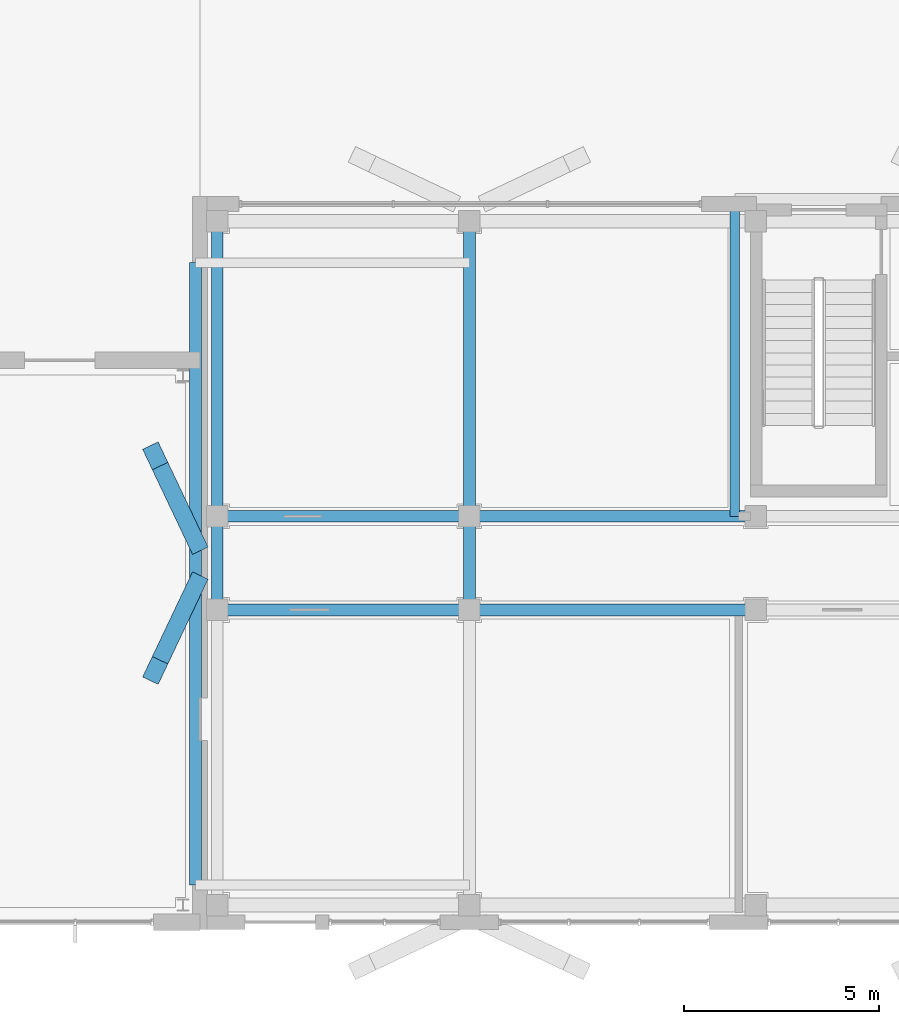
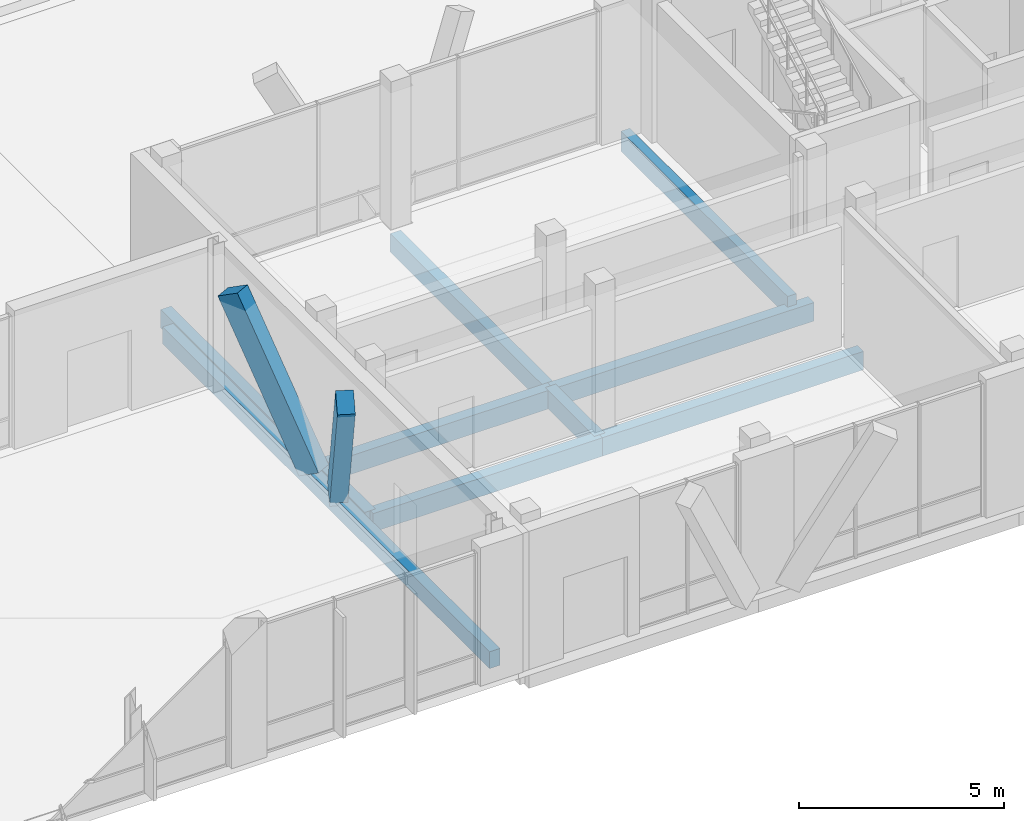
# One storey, part 74 of 233: 10 beams, 2 members.
"""IFC4 building model written with IfcOpenShell, lengths in metres."""

import ifcopenshell
import ifcopenshell.guid

model = None  # the IFC model being written
_history = None  # IfcOwnerHistory: only IFC2X3 demands one
_inside = {}  # id of a spatial element -> (the spatial element, [elements in it])
_under = {}  # id of a project, library or spatial element -> (it, [spatial elements below it])
_declared = {}  # id of a project -> (the project, [libraries it declares])
_typed = {}  # id of a type object -> (the type object, [elements of that type])
_made_of = {}  # id of a material, layer set ... -> (it, [elements and type objects made of it])


def new_model(schema):
    """Start an empty IFC model of exactly this schema.

    Asked for "IFC4X3", IfcOpenShell would pick the latest addendum, in which some entities
    have other attributes; the version numbers below select the first issue.
    IFC2X3 requires an IfcOwnerHistory on every rooted entity: one is made here for all.
    """
    global model, _history
    if schema == "IFC4X3":
        model = ifcopenshell.file(schema_version=(4, 3, 0, 0))
    else:
        model = ifcopenshell.file(schema=schema)
    _inside.clear()
    _under.clear()
    _declared.clear()
    _typed.clear()
    _made_of.clear()
    _history = None
    if model.schema == "IFC2X3":
        org = make("IfcOrganization", Name="unknown")
        user = make(
            "IfcPersonAndOrganization",
            ThePerson=make("IfcPerson", FamilyName="unknown"),
            TheOrganization=org,
        )
        app = make(
            "IfcApplication",
            ApplicationDeveloper=org,
            Version="unknown",
            ApplicationFullName="unknown",
            ApplicationIdentifier="unknown",
        )
        _history = make(
            "IfcOwnerHistory",
            OwningUser=user,
            OwningApplication=app,
            ChangeAction="ADDED",
            CreationDate=0,
        )
    return model


def make(cls, **values):
    """One entity of the class cls with the attributes given. An attribute that is None is left unset."""
    return model.create_entity(
        cls, **{name: value for name, value in values.items() if value is not None}
    )


def rooted(cls, **values):
    """An entity with a GlobalId (a new one), such as an element, a storey or a relation."""
    return make(cls, GlobalId=ifcopenshell.guid.new(), OwnerHistory=_history, **values)


def si_unit(unit_type, name, prefix=None):
    """IfcSIUnit, for example si_unit("LENGTHUNIT", "METRE", prefix="MILLI")."""
    return make("IfcSIUnit", UnitType=unit_type, Prefix=prefix, Name=name)


def assignment(units):
    """IfcUnitAssignment: the units of a project."""
    return None if units is None else make("IfcUnitAssignment", Units=units)


def point(xyz):
    """IfcCartesianPoint."""
    return None if xyz is None else make("IfcCartesianPoint", Coordinates=xyz)


def direction(xyz):
    """IfcDirection."""
    return None if xyz is None else make("IfcDirection", DirectionRatios=xyz)


def frame(location, z_axis=None, x_axis=None):
    """IfcAxis2Placement3D, a coordinate frame: its origin and axes. An axis left out is left unset."""
    return make(
        "IfcAxis2Placement3D",
        Location=point(location),
        Axis=direction(z_axis),
        RefDirection=direction(x_axis),
    )


def frame_2d(location, x_axis=None):
    """IfcAxis2Placement2D, a coordinate frame in the plane: its origin and x axis."""
    return make(
        "IfcAxis2Placement2D", Location=point(location), RefDirection=direction(x_axis)
    )


def origin():
    """The frame at (0, 0, 0) with its axes left unset."""
    return frame((0.0, 0.0, 0.0))


def origin_2d():
    """The frame at (0, 0) in the plane with its x axis left unset."""
    return frame_2d((0.0, 0.0))


def place(relative_to, where):
    """IfcLocalPlacement: puts the frame where relative to a parent placement (None: the world)."""
    return make(
        "IfcLocalPlacement", PlacementRelTo=relative_to, RelativePlacement=where
    )


def context(
    kind, dimensions, precision=None, world=None, true_north=None, identifier=None
):
    """IfcGeometricRepresentationContext, for example the 3D "Model" context."""
    return make(
        "IfcGeometricRepresentationContext",
        ContextIdentifier=identifier,
        ContextType=kind,
        CoordinateSpaceDimension=dimensions,
        Precision=precision,
        WorldCoordinateSystem=world,
        TrueNorth=true_north,
    )


def subcontext(parent, identifier, kind, view, scale=None):
    """IfcGeometricRepresentationSubContext, for example "Body" below "Model"."""
    return make(
        "IfcGeometricRepresentationSubContext",
        ContextIdentifier=identifier,
        ContextType=kind,
        ParentContext=parent,
        TargetScale=scale,
        TargetView=view,
    )


def project(units=None, contexts=None):
    """IfcProject with its units and contexts."""
    return rooted(
        "IfcProject",
        Name="project",
        RepresentationContexts=contexts,
        UnitsInContext=assignment(units),
    )


def spatial(cls, under=None, at=None, **own):
    """A site, building, storey or space (cls), placed at a placement, below another one or the project."""
    s = rooted(cls, ObjectPlacement=at, **own)
    if under is not None:
        _under.setdefault(under.id(), (under, []))[1].append(s)
    return s


def profile(cls, at=None, kind="AREA", **sizes):
    """A parametric profile (cls). Its sizes go by their IFC names, for example OverallWidth=200.0."""
    return make(cls, ProfileType=kind, Position=at, **sizes)


def rectangle(**sizes):
    """IfcRectangleProfileDef."""
    return profile("IfcRectangleProfileDef", **sizes)


def extrude(swept, where, along, depth):
    """IfcExtrudedAreaSolid: the profile swept, set in the frame where, extruded along a direction by depth."""
    return make(
        "IfcExtrudedAreaSolid",
        SweptArea=swept,
        Position=where,
        ExtrudedDirection=direction(along),
        Depth=depth,
    )


def shape(context_of_items, identifier, shape_type, items):
    """IfcShapeRepresentation: the items that make up one representation, for example the "Body"."""
    return make(
        "IfcShapeRepresentation",
        ContextOfItems=context_of_items,
        RepresentationIdentifier=identifier,
        RepresentationType=shape_type,
        Items=items,
    )


def material(Name=None, Category=None):
    """IfcMaterial."""
    return make("IfcMaterial", Name=Name, Category=Category)


def material_profile(
    of_material, cross_section, Name=None, Category=None, Priority=None
):
    """IfcMaterialProfile: a cross section and its material."""
    return make(
        "IfcMaterialProfile",
        Name=Name,
        Material=of_material,
        Profile=cross_section,
        Priority=Priority,
        Category=Category,
    )


def profile_set(profiles, Name=None, composite=None):
    """IfcMaterialProfileSet."""
    return make(
        "IfcMaterialProfileSet",
        Name=Name,
        MaterialProfiles=profiles,
        CompositeProfile=composite,
    )


def made_of(thing, what):
    """Note that an element or type object is made of a material, layer set ...; save() writes the relation."""
    if what is not None:
        _made_of.setdefault(what.id(), (what, []))[1].append(thing)
    return thing


def type_object(cls, material=None, **own):
    """A type object (cls), such as IfcWallType, which elements share."""
    return made_of(rooted(cls, **own), material)


def element(
    cls,
    number,
    at=None,
    inside=None,
    cuts=None,
    type_object=None,
    material=None,
    context=None,
    identifier="Body",
    shape_type=None,
    held_by="IfcProductDefinitionShape",
    body=None,
    shapes=None,
    **own,
):
    """One element of the class cls, such as IfcWall. Its Tag is "e" and its number.

    at: its placement. inside: the storey or other place that contains it. cuts: it is an
    opening in that element (IfcRelVoidsElement). A single representation is given by context,
    identifier, shape_type and body (its items); several are given by shapes. held_by: the class
    of the entity that holds the representations. save() writes the other relations.
    """
    e = rooted(cls, Tag="e%d" % number, ObjectPlacement=at, **own)
    if body is not None:
        shapes = [shape(context, identifier, shape_type, body)]
    if shapes is not None:
        e.Representation = make(held_by, Representations=shapes)
    if inside is not None:
        _inside.setdefault(inside.id(), (inside, []))[1].append(e)
    if cuts is not None:
        rooted(
            "IfcRelVoidsElement", RelatingBuildingElement=cuts, RelatedOpeningElement=e
        )
    if type_object is not None:
        _typed.setdefault(type_object.id(), (type_object, []))[1].append(e)
    return made_of(e, material)


def aggregate(whole, parts):
    """IfcRelAggregates: a whole, such as a stair, and the parts it consists of."""
    return rooted("IfcRelAggregates", RelatingObject=whole, RelatedObjects=parts)


def save(model, path):
    """Write the relations noted so far, then the file.

    IfcRelAggregates (storeys below a building ...), IfcRelContainedInSpatialStructure (elements
    in a storey), IfcRelDefinesByType, IfcRelAssociatesMaterial and IfcRelDeclares: one each for
    every whole, place, type object, material and project.
    """
    for whole, parts in _under.values():
        aggregate(whole, parts)
    for where, things in _inside.values():
        rooted(
            "IfcRelContainedInSpatialStructure",
            RelatedElements=things,
            RelatingStructure=where,
        )
    for kind, things in _typed.values():
        rooted("IfcRelDefinesByType", RelatedObjects=things, RelatingType=kind)
    for what, things in _made_of.values():
        rooted("IfcRelAssociatesMaterial", RelatedObjects=things, RelatingMaterial=what)
    for by, libraries in _declared.values():
        rooted("IfcRelDeclares", RelatingContext=by, RelatedDefinitions=libraries)
    model.write(path)


model = new_model("IFC4")

# Units and contexts
model_context = context("Model", 3, precision=1e-05, world=origin(), true_north=direction((0.0, 1.0)))
body_context = subcontext(model_context, "Body", "Model", "MODEL_VIEW")
ifc_project = project(units=[si_unit("LENGTHUNIT", "METRE"), si_unit("AREAUNIT", "SQUARE_METRE"), si_unit("VOLUMEUNIT", "CUBIC_METRE"), si_unit("PLANEANGLEUNIT", "RADIAN"), si_unit("MASSUNIT", "GRAM", prefix="KILO")], contexts=[model_context])

# Site, building, storey
site_placement = place(None, origin())
site = spatial("IfcSite", under=ifc_project, at=site_placement, CompositionType="ELEMENT")
building_placement = place(site_placement, origin())
building = spatial("IfcBuilding", under=site, at=building_placement, Name="Zavelmont Quarter", CompositionType="ELEMENT")
storey_placement = place(building_placement, origin())
storey = spatial("IfcBuildingStorey", under=building, at=storey_placement, Name="L00", CompositionType="ELEMENT", Elevation=0.0)

# Beams
ifc_material_1 = material(Name="Concrete C35/45", Category="concrete")
ifc_material_profile_1 = material_profile(ifc_material_1, rectangle(XDim=0.300048828125, YDim=0.550048828125, at=origin_2d()), Name="RC300X550")
ifc_profile_set_1 = profile_set([ifc_material_profile_1], Name="Concrete C35/45")
beam_type_1 = type_object("IfcBeamType", Name="BM02", PredefinedType="SPANDREL", material=ifc_profile_set_1)
beam_1_placement = place(storey_placement, frame((113.239990234375, 8.0, -0.594970703125), z_axis=(1.0, 0.0, 0.0), x_axis=(0.0, 1.0, 0.0)))
element("IfcBeam", 1, at=beam_1_placement, inside=storey, type_object=beam_type_1, Name="L00 beam BM02 17/B to 18/B", PredefinedType="SPANDREL", context=body_context, shape_type="SweptSolid", body=[
    extrude(rectangle(XDim=0.300048828125, YDim=0.550048828125, at=origin_2d()), origin(), (0.0, 0.0, 1.0), 6.4599609375),
])
beam_2_placement = place(storey_placement, frame((119.699951171875, 8.0, -0.594970703125), z_axis=(1.0, 0.0, 0.0), x_axis=(0.0, 1.0, 0.0)))
element("IfcBeam", 2, at=beam_2_placement, inside=storey, type_object=beam_type_1, Name="L00 beam BM02 18/B to 19/B", PredefinedType="SPANDREL", context=body_context, shape_type="SweptSolid", body=[
    extrude(rectangle(XDim=0.300048828125, YDim=0.550048828125, at=origin_2d()), origin(), (0.0, 0.0, 1.0), 7.340087890625),
])
beam_3_placement = place(storey_placement, frame((113.239990234375, 10.39990234375, -0.594970703125), z_axis=(1.0, 0.0, 0.0), x_axis=(0.0, 1.0, 0.0)))
element("IfcBeam", 3, at=beam_3_placement, inside=storey, type_object=beam_type_1, Name="L00 beam BM02 17/C to 18/C", PredefinedType="SPANDREL", context=body_context, shape_type="SweptSolid", body=[
    extrude(rectangle(XDim=0.300048828125, YDim=0.550048828125, at=origin_2d()), origin(), (0.0, 0.0, 1.0), 6.4599609375),
])
beam_4_placement = place(storey_placement, frame((119.699951171875, 10.39990234375, -0.594970703125), z_axis=(1.0, 0.0, 0.0), x_axis=(0.0, 1.0, 0.0)))
element("IfcBeam", 4, at=beam_4_placement, inside=storey, type_object=beam_type_1, Name="L00 beam BM02 18/C to 19/C", PredefinedType="SPANDREL", context=body_context, shape_type="SweptSolid", body=[
    extrude(rectangle(XDim=0.300048828125, YDim=0.550048828125, at=origin_2d()), origin(), (0.0, 0.0, 1.0), 7.340087890625),
])
beam_5_placement = place(storey_placement, frame((113.239990234375, 8.0, -0.594970703125), z_axis=(0.0, 1.0, 0.0), x_axis=(-1.0, 0.0, 0.0)))
element("IfcBeam", 5, at=beam_5_placement, inside=storey, type_object=beam_type_1, Name="L00 beam BM02 17/B to 17/C", PredefinedType="SPANDREL", context=body_context, shape_type="SweptSolid", body=[
    extrude(rectangle(XDim=0.300048828125, YDim=0.550048828125, at=origin_2d()), origin(), (0.0, 0.0, 1.0), 2.39990234375),
])
beam_6_placement = place(storey_placement, frame((113.239990234375, 10.39990234375, -0.594970703125), z_axis=(0.0, 1.0, 0.0), x_axis=(-1.0, 0.0, 0.0)))
element("IfcBeam", 6, at=beam_6_placement, inside=storey, type_object=beam_type_1, Name="L00 beam BM02 17/C to 17/D", PredefinedType="SPANDREL", context=body_context, shape_type="SweptSolid", body=[
    extrude(rectangle(XDim=0.300048828125, YDim=0.550048828125, at=origin_2d()), origin(), (0.0, 0.0, 1.0), 7.56005859375),
])
beam_7_placement = place(storey_placement, frame((119.699951171875, 8.0, -0.594970703125), z_axis=(0.0, 1.0, 0.0), x_axis=(-1.0, 0.0, 0.0)))
element("IfcBeam", 7, at=beam_7_placement, inside=storey, type_object=beam_type_1, Name="L00 beam BM02 18/B to 18/C", PredefinedType="SPANDREL", context=body_context, shape_type="SweptSolid", body=[
    extrude(rectangle(XDim=0.300048828125, YDim=0.550048828125, at=origin_2d()), origin(), (0.0, 0.0, 1.0), 2.39990234375),
])
beam_8_placement = place(storey_placement, frame((119.699951171875, 10.39990234375, -0.594970703125), z_axis=(0.0, 1.0, 0.0), x_axis=(-1.0, 0.0, 0.0)))
element("IfcBeam", 8, at=beam_8_placement, inside=storey, type_object=beam_type_1, Name="L00 beam BM02 18/C to 18/D", PredefinedType="SPANDREL", context=body_context, shape_type="SweptSolid", body=[
    extrude(rectangle(XDim=0.300048828125, YDim=0.550048828125, at=origin_2d()), origin(), (0.0, 0.0, 1.0), 7.56005859375),
])
ifc_material_profile_2 = material_profile(ifc_material_1, rectangle(XDim=0.300048828125, YDim=0.5, at=origin_2d()), Name="RC300X500")
ifc_profile_set_2 = profile_set([ifc_material_profile_2], Name="Concrete C35/45")
beam_type_2 = type_object("IfcBeamType", Name="BM03", PredefinedType="BEAM", material=ifc_profile_set_2)
beam_9_placement = place(storey_placement, frame((112.679931640625, 0.949951171875, -0.25), z_axis=(0.0, 1.0, 0.0), x_axis=(-1.0, 0.0, 0.0)))
element("IfcBeam", 9, at=beam_9_placement, inside=storey, type_object=beam_type_2, Name="L00 beam BM03 17/A to 17/D", PredefinedType="BEAM", context=body_context, shape_type="SweptSolid", body=[
    extrude(rectangle(XDim=0.300048828125, YDim=0.5, at=origin_2d()), origin(), (0.0, 0.0, 1.0), 15.949951171875),
])
ifc_material_2 = material(Name="Concrete C40/50", Category="concrete")
ifc_material_profile_3 = material_profile(ifc_material_2, rectangle(XDim=0.25, YDim=0.60009765625, at=origin_2d()), Name="RC250X600")
ifc_profile_set_3 = profile_set([ifc_material_profile_3], Name="Concrete C40/50")
beam_type_3 = type_object("IfcBeamType", Name="BM18", PredefinedType="BEAM", material=ifc_profile_set_3)
beam_10_placement = place(storey_placement, frame((126.5, 10.39990234375, -0.300048828125), z_axis=(0.0, 1.0, 0.0), x_axis=(-1.0, 0.0, 0.0)))
element("IfcBeam", 10, at=beam_10_placement, inside=storey, type_object=beam_type_3, Name="L00 beam BM18 19/C to 19/D", PredefinedType="BEAM", context=body_context, shape_type="SweptSolid", body=[
    extrude(rectangle(XDim=0.25, YDim=0.60009765625, at=origin_2d()), origin(), (0.0, 0.0, 1.0), 8.1201171875),
])

# Members
ifc_material_3 = material(Name="White architectural precast concrete C40/50", Category="concrete")
ifc_material_profile_4 = material_profile(ifc_material_3, rectangle(XDim=0.43994140625, YDim=0.659912109375, at=origin_2d()), Name="PCR320X480")
ifc_profile_set_4 = profile_set([ifc_material_profile_4], Name="White architectural precast concrete C40/50")
member_type = type_object("IfcMemberType", Name="VR01M", PredefinedType="CHORD", material=ifc_profile_set_4)
for number, where, z_axis, x_axis, name in (
    (11, (112.679931640625, 8.6201171875, 0.0), (-0.205477794527, -0.432871921724, 0.877724771975), (0.903387771633, -0.428824595918, 0.0), "L00 member VR01M 17/B to 17/B"),
    (12, (112.679931640625, 9.780029296875, 0.0), (-0.205477794527, 0.432871921724, 0.877724771975), (-0.903387771633, -0.428824595918, 0.0), "L00 member VR01M 17/C to 17/C"),
):
    element("IfcMember", number, at=place(storey_placement, frame(where, z_axis=z_axis, x_axis=x_axis)), inside=storey, type_object=member_type, Name=name, PredefinedType="CHORD", context=body_context, shape_type="SweptSolid", body=[
        extrude(rectangle(XDim=0.43994140625, YDim=0.659912109375, at=origin_2d()), origin(), (0.0, 0.0, 1.0), 5.012939453125),
    ])

save(model, "model.ifc")
